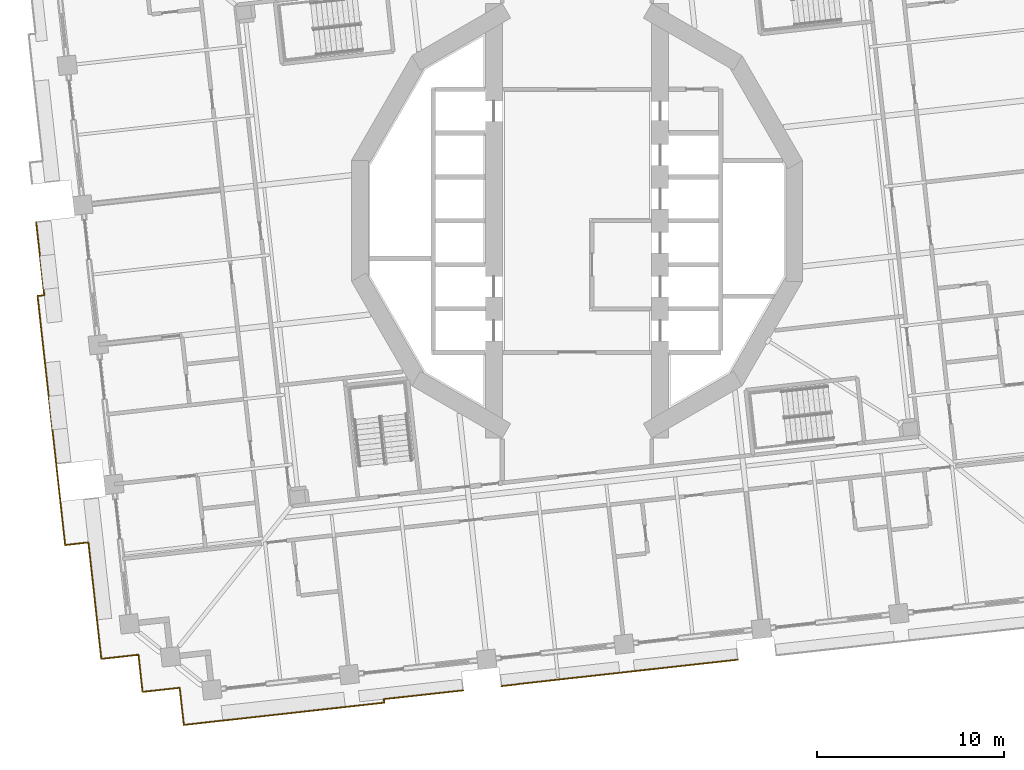
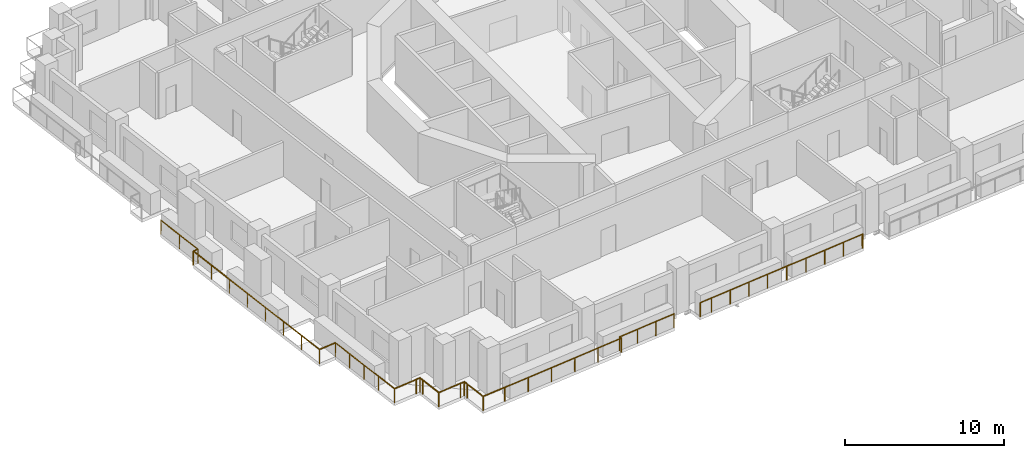
# One storey, part 15 of 20: 3 railings.
"""IFC4 building model written with IfcOpenShell, lengths in metres."""

from ifc_helpers import new_model, si_unit, direction, frame, origin, origin_2d, place, context, subcontext, project, spatial, circle, extrude, material, type_object, element, save


model = new_model("IFC4")

# Units and contexts
model_context = context("Model", 3, precision=1e-05, world=origin(), true_north=direction((0.0, 1.0)))
body_context = subcontext(model_context, "Body", "Model", "MODEL_VIEW")
ifc_project = project(units=[si_unit("LENGTHUNIT", "METRE"), si_unit("AREAUNIT", "SQUARE_METRE"), si_unit("VOLUMEUNIT", "CUBIC_METRE"), si_unit("PLANEANGLEUNIT", "RADIAN"), si_unit("MASSUNIT", "GRAM", prefix="KILO")], contexts=[model_context])

# Site, building, storey
site_placement = place(None, origin())
site = spatial("IfcSite", under=ifc_project, at=site_placement, CompositionType="ELEMENT")
building_placement = place(site_placement, origin())
building = spatial("IfcBuilding", under=site, at=building_placement, Name="Cantera Rosa Tower", CompositionType="ELEMENT")
storey_placement = place(building_placement, frame((0.0, 0.0, 50.10009765625)))
storey = spatial("IfcBuildingStorey", under=building, at=storey_placement, Name="L09", CompositionType="ELEMENT", Elevation=50.10009765625)

# Railings
ifc_material = material(Name="Stainless steel and laminated glass", Category="steel")
railing_type = type_object("IfcRailingType", Name="GUARD 1100", PredefinedType="BALUSTRADE", material=ifc_material)
railing_1_placement = place(storey_placement, frame((-25.46826171875, -23.45263671875, 0.0)))
element("IfcRailing", 1, at=railing_1_placement, inside=storey, type_object=railing_type, Name="GUARD L09-1", PredefinedType="BALUSTRADE", context=body_context, shape_type="SweptSolid", body=[
    extrude(circle(Radius=0.030029296875, at=origin_2d()), frame((0.0, 0.0, 1.070068359375), z_axis=(-0.110289669906, 0.993899486222, 0.0), x_axis=(-0.993899486222, -0.110289669906, 0.0)), (0.0, 0.0, 1.0), 1.699951171875),
    extrude(circle(Radius=0.030029296875, at=origin_2d()), frame((-0.1875, 1.689697265625, 1.070068359375), z_axis=(-0.110355311719, 0.993892199977, 0.0), x_axis=(-0.993892199977, -0.110355311719, 0.0)), (0.0, 0.0, 1.0), 4.570556640625),
    extrude(circle(Radius=0.030029296875, at=origin_2d()), frame((-0.69189453125, 6.232421875, 1.070068359375), z_axis=(-0.993886117565, -0.110410077944, 0.0), x_axis=(0.110410077944, -0.993886117565, 0.0)), (0.0, 0.0, 1.0), 1.249267578125),
    extrude(circle(Radius=0.030029296875, at=origin_2d()), frame((-1.93359375, 6.094482421875, 1.070068359375), z_axis=(-0.110309714757, 0.993897261708, 0.0), x_axis=(-0.993897261708, -0.110309714757, 0.0)), (0.0, 0.0, 1.0), 13.418701171875),
    extrude(circle(Radius=0.030029296875, at=origin_2d()), frame((-3.413818359375, 19.431396484375, 1.070068359375), z_axis=(0.993859025053, 0.110653686428, 0.0), x_axis=(-0.110653686428, 0.993859025053, 0.0)), (0.0, 0.0, 1.0), 0.36181640625),
    extrude(circle(Radius=0.030029296875, at=origin_2d()), frame((-3.05419921875, 19.471435546875, 1.070068359375), z_axis=(-0.11028192342, 0.993900345793, 0.0), x_axis=(-0.993900345793, -0.11028192342, 0.0)), (0.0, 0.0, 1.0), 3.9404296875),
    extrude(circle(Radius=0.02490234375, at=origin_2d()), origin(), (0.0, 0.0, 1.0), 1.0400390625),
    extrude(circle(Radius=0.02490234375, at=origin_2d()), frame((-0.1875, 1.689697265625, 0.0)), (0.0, 0.0, 1.0), 1.0400390625),
    extrude(circle(Radius=0.02490234375, at=origin_2d()), frame((-0.355712890625, 3.203857421875, 0.0)), (0.0, 0.0, 1.0), 1.0400390625),
    extrude(circle(Radius=0.02490234375, at=origin_2d()), frame((-0.523681640625, 4.71826171875, 0.0)), (0.0, 0.0, 1.0), 1.0400390625),
    extrude(circle(Radius=0.02490234375, at=origin_2d()), frame((-0.69189453125, 6.232421875, 0.0)), (0.0, 0.0, 1.0), 1.0400390625),
    extrude(circle(Radius=0.02490234375, at=origin_2d()), frame((-1.93359375, 6.094482421875, 0.0)), (0.0, 0.0, 1.0), 1.0400390625),
    extrude(circle(Radius=0.02490234375, at=origin_2d()), frame((-2.14501953125, 7.999755859375, 0.0)), (0.0, 0.0, 1.0), 1.0400390625),
    extrude(circle(Radius=0.02490234375, at=origin_2d()), frame((-2.3564453125, 9.905029296875, 0.0)), (0.0, 0.0, 1.0), 1.0400390625),
    extrude(circle(Radius=0.02490234375, at=origin_2d()), frame((-2.56787109375, 11.810302734375, 0.0)), (0.0, 0.0, 1.0), 1.0400390625),
    extrude(circle(Radius=0.02490234375, at=origin_2d()), frame((-2.779541015625, 13.715576171875, 0.0)), (0.0, 0.0, 1.0), 1.0400390625),
    extrude(circle(Radius=0.02490234375, at=origin_2d()), frame((-2.990966796875, 15.620849609375, 0.0)), (0.0, 0.0, 1.0), 1.0400390625),
    extrude(circle(Radius=0.02490234375, at=origin_2d()), frame((-3.202392578125, 17.526123046875, 0.0)), (0.0, 0.0, 1.0), 1.0400390625),
    extrude(circle(Radius=0.02490234375, at=origin_2d()), frame((-3.413818359375, 19.431396484375, 0.0)), (0.0, 0.0, 1.0), 1.0400390625),
    extrude(circle(Radius=0.02490234375, at=origin_2d()), frame((-3.05419921875, 19.471435546875, 0.0)), (0.0, 0.0, 1.0), 1.0400390625),
    extrude(circle(Radius=0.02490234375, at=origin_2d()), frame((-3.271484375, 21.4296875, 0.0)), (0.0, 0.0, 1.0), 1.0400390625),
    extrude(circle(Radius=0.02490234375, at=origin_2d()), frame((-3.48876953125, 23.387939453125, 0.0)), (0.0, 0.0, 1.0), 1.0400390625),
])
railing_2_placement = place(storey_placement, frame((-6.094482421875, -25.135498046875, 0.0)))
element("IfcRailing", 2, at=railing_2_placement, inside=storey, type_object=railing_type, Name="GUARD L09-2", PredefinedType="BALUSTRADE", context=body_context, shape_type="SweptSolid", body=[
    extrude(circle(Radius=0.030029296875, at=origin_2d()), frame((0.0, 0.0, 1.070068359375), z_axis=(-0.993892795835, -0.110349945117, 0.0), x_axis=(0.110349945117, -0.993892795835, 0.0)), (0.0, 0.0, 1.0), 4.27001953125),
    extrude(circle(Radius=0.030029296875, at=origin_2d()), frame((-4.243896484375, -0.47119140625, 1.070068359375), z_axis=(0.110431526075, -0.993883734674, 0.0), x_axis=(0.993883734674, 0.110431526075, 0.0)), (0.0, 0.0, 1.0), 0.190185546875),
    extrude(circle(Radius=0.030029296875, at=origin_2d()), frame((-4.222900390625, -0.66015625, 1.070068359375), z_axis=(-0.993899102511, -0.110293127745, 0.0), x_axis=(0.110293127745, -0.993899102511, 0.0)), (0.0, 0.0, 1.0), 9.099853515625),
    extrude(circle(Radius=0.030029296875, at=origin_2d()), frame((-13.267333984375, -1.663818359375, 1.070068359375), z_axis=(-0.993883734674, -0.110431526075, 0.0), x_axis=(0.110431526075, -0.993883734674, 0.0)), (0.0, 0.0, 1.0), 1.7001953125),
    extrude(circle(Radius=0.030029296875, at=origin_2d()), frame((-14.95703125, -1.8515625, 1.070068359375), z_axis=(-0.110289669906, 0.993899486222, 0.0), x_axis=(-0.993899486222, -0.110289669906, 0.0)), (0.0, 0.0, 1.0), 1.699951171875),
    extrude(circle(Radius=0.030029296875, at=origin_2d()), frame((-15.14453125, -0.161865234375, 1.070068359375), z_axis=(-0.110699535641, 0.99385391925, 0.0), x_axis=(-0.99385391925, -0.110699535641, 0.0)), (0.0, 0.0, 1.0), 0.300048828125),
    extrude(circle(Radius=0.030029296875, at=origin_2d()), frame((-15.177734375, 0.13623046875, 1.070068359375), z_axis=(-0.993943154022, -0.10989543472, 0.0), x_axis=(0.10989543472, -0.993943154022, 0.0)), (0.0, 0.0, 1.0), 0.2998046875),
    extrude(circle(Radius=0.030029296875, at=origin_2d()), frame((-15.475830078125, 0.103271484375, 1.070068359375), z_axis=(-0.993899486222, -0.110289669906, 0.0), x_axis=(0.110289669906, -0.993899486222, 0.0)), (0.0, 0.0, 1.0), 1.699951171875),
    extrude(circle(Radius=0.030029296875, at=origin_2d()), frame((-17.16552734375, -0.084228515625, 1.070068359375), z_axis=(-0.110305413813, 0.993897739047, 0.0), x_axis=(-0.993897739047, -0.110305413813, 0.0)), (0.0, 0.0, 1.0), 1.69970703125),
    extrude(circle(Radius=0.030029296875, at=origin_2d()), frame((-17.35302734375, 1.605224609375, 1.070068359375), z_axis=(-0.1098065887, 0.993952973273, 0.0), x_axis=(-0.993952973273, -0.1098065887, 0.0)), (0.0, 0.0, 1.0), 0.300048828125),
    extrude(circle(Radius=0.030029296875, at=origin_2d()), frame((-17.385986328125, 1.903564453125, 1.070068359375), z_axis=(-0.993863881828, -0.110610055588, 0.0), x_axis=(0.110610055588, -0.993863881828, 0.0)), (0.0, 0.0, 1.0), 0.30029296875),
    extrude(circle(Radius=0.030029296875, at=origin_2d()), frame((-17.684326171875, 1.870361328125, 1.070068359375), z_axis=(-0.993897739047, -0.110305413813, 0.0), x_axis=(0.110305413813, -0.993897739047, 0.0)), (0.0, 0.0, 1.0), 1.69970703125),
    extrude(circle(Radius=0.02490234375, at=origin_2d()), origin(), (0.0, 0.0, 1.0), 1.0400390625),
    extrude(circle(Radius=0.02490234375, at=origin_2d()), frame((-1.41455078125, -0.156982421875, 0.0)), (0.0, 0.0, 1.0), 1.0400390625),
    extrude(circle(Radius=0.02490234375, at=origin_2d()), frame((-2.829345703125, -0.314208984375, 0.0)), (0.0, 0.0, 1.0), 1.0400390625),
    extrude(circle(Radius=0.02490234375, at=origin_2d()), frame((-4.243896484375, -0.47119140625, 0.0)), (0.0, 0.0, 1.0), 1.0400390625),
    extrude(circle(Radius=0.02490234375, at=origin_2d()), frame((-4.222900390625, -0.66015625, 0.0)), (0.0, 0.0, 1.0), 1.0400390625),
    extrude(circle(Radius=0.02490234375, at=origin_2d()), frame((-6.03173828125, -0.86083984375, 0.0)), (0.0, 0.0, 1.0), 1.0400390625),
    extrude(circle(Radius=0.02490234375, at=origin_2d()), frame((-7.840576171875, -1.0615234375, 0.0)), (0.0, 0.0, 1.0), 1.0400390625),
    extrude(circle(Radius=0.02490234375, at=origin_2d()), frame((-9.649658203125, -1.262451171875, 0.0)), (0.0, 0.0, 1.0), 1.0400390625),
    extrude(circle(Radius=0.02490234375, at=origin_2d()), frame((-11.45849609375, -1.463134765625, 0.0)), (0.0, 0.0, 1.0), 1.0400390625),
    extrude(circle(Radius=0.02490234375, at=origin_2d()), frame((-13.267333984375, -1.663818359375, 0.0)), (0.0, 0.0, 1.0), 1.0400390625),
    extrude(circle(Radius=0.02490234375, at=origin_2d()), frame((-14.95703125, -1.8515625, 0.0)), (0.0, 0.0, 1.0), 1.0400390625),
    extrude(circle(Radius=0.02490234375, at=origin_2d()), frame((-15.14453125, -0.161865234375, 0.0)), (0.0, 0.0, 1.0), 1.0400390625),
    extrude(circle(Radius=0.02490234375, at=origin_2d()), frame((-15.177734375, 0.13623046875, 0.0)), (0.0, 0.0, 1.0), 1.0400390625),
    extrude(circle(Radius=0.02490234375, at=origin_2d()), frame((-15.475830078125, 0.103271484375, 0.0)), (0.0, 0.0, 1.0), 1.0400390625),
    extrude(circle(Radius=0.02490234375, at=origin_2d()), frame((-17.16552734375, -0.084228515625, 0.0)), (0.0, 0.0, 1.0), 1.0400390625),
    extrude(circle(Radius=0.02490234375, at=origin_2d()), frame((-17.35302734375, 1.605224609375, 0.0)), (0.0, 0.0, 1.0), 1.0400390625),
    extrude(circle(Radius=0.02490234375, at=origin_2d()), frame((-17.385986328125, 1.903564453125, 0.0)), (0.0, 0.0, 1.0), 1.0400390625),
    extrude(circle(Radius=0.02490234375, at=origin_2d()), frame((-17.684326171875, 1.870361328125, 0.0)), (0.0, 0.0, 1.0), 1.0400390625),
    extrude(circle(Radius=0.02490234375, at=origin_2d()), frame((-19.373779296875, 1.682861328125, 0.0)), (0.0, 0.0, 1.0), 1.0400390625),
])
railing_3_placement = place(storey_placement, frame((8.6142578125, -23.4931640625, 0.0)))
element("IfcRailing", 3, at=railing_3_placement, inside=storey, type_object=railing_type, Name="GUARD L09-6", PredefinedType="BALUSTRADE", context=body_context, shape_type="SweptSolid", body=[
    extrude(circle(Radius=0.030029296875, at=origin_2d()), frame((0.0, 0.0, 1.070068359375), z_axis=(-0.994136314057, -0.108134125389, 0.0), x_axis=(0.108134125389, -0.994136314057, 0.0)), (0.0, 0.0, 1.0), 0.070068359375),
    extrude(circle(Radius=0.030029296875, at=origin_2d()), frame((-0.069580078125, -0.007568359375, 1.070068359375), z_axis=(-0.993891851654, -0.110358448777, 0.0), x_axis=(0.110358448777, -0.993891851654, 0.0)), (0.0, 0.0, 1.0), 4.400146484375),
    extrude(circle(Radius=0.030029296875, at=origin_2d()), frame((-4.44287109375, -0.4931640625, 1.070068359375), z_axis=(-0.993901585709, -0.110270748271, 0.0), x_axis=(0.110270748271, -0.993901585709, 0.0)), (0.0, 0.0, 1.0), 3.0),
    extrude(circle(Radius=0.030029296875, at=origin_2d()), frame((-7.424560546875, -0.823974609375, 1.070068359375), z_axis=(-0.993894580964, -0.110333865747, 0.0), x_axis=(0.110333865747, -0.993894580964, 0.0)), (0.0, 0.0, 1.0), 4.39013671875),
    extrude(circle(Radius=0.030029296875, at=origin_2d()), frame((-11.787841796875, -1.308349609375, 1.070068359375), z_axis=(0.099503719021, -0.99503719021, 0.0), x_axis=(0.99503719021, 0.099503719021, 0.0)), (0.0, 0.0, 1.0), 0.009765625),
    extrude(circle(Radius=0.030029296875, at=origin_2d()), frame((-11.786865234375, -1.318115234375, 1.070068359375), z_axis=(-0.993914151413, -0.110157431075, 0.0), x_axis=(0.110157431075, -0.993914151413, 0.0)), (0.0, 0.0, 1.0), 0.8798828125),
    extrude(circle(Radius=0.02490234375, at=origin_2d()), origin(), (0.0, 0.0, 1.0), 1.0400390625),
    extrude(circle(Radius=0.02490234375, at=origin_2d()), frame((-0.069580078125, -0.007568359375, 0.0)), (0.0, 0.0, 1.0), 1.0400390625),
    extrude(circle(Radius=0.02490234375, at=origin_2d()), frame((-1.52734375, -0.16943359375, 0.0)), (0.0, 0.0, 1.0), 1.0400390625),
    extrude(circle(Radius=0.02490234375, at=origin_2d()), frame((-2.985107421875, -0.331298828125, 0.0)), (0.0, 0.0, 1.0), 1.0400390625),
    extrude(circle(Radius=0.02490234375, at=origin_2d()), frame((-4.44287109375, -0.4931640625, 0.0)), (0.0, 0.0, 1.0), 1.0400390625),
    extrude(circle(Radius=0.02490234375, at=origin_2d()), frame((-5.93359375, -0.65869140625, 0.0)), (0.0, 0.0, 1.0), 1.0400390625),
    extrude(circle(Radius=0.02490234375, at=origin_2d()), frame((-7.424560546875, -0.823974609375, 0.0)), (0.0, 0.0, 1.0), 1.0400390625),
    extrude(circle(Radius=0.02490234375, at=origin_2d()), frame((-8.87890625, -0.9853515625, 0.0)), (0.0, 0.0, 1.0), 1.0400390625),
    extrude(circle(Radius=0.02490234375, at=origin_2d()), frame((-10.33349609375, -1.14697265625, 0.0)), (0.0, 0.0, 1.0), 1.0400390625),
    extrude(circle(Radius=0.02490234375, at=origin_2d()), frame((-11.787841796875, -1.308349609375, 0.0)), (0.0, 0.0, 1.0), 1.0400390625),
    extrude(circle(Radius=0.02490234375, at=origin_2d()), frame((-11.786865234375, -1.318115234375, 0.0)), (0.0, 0.0, 1.0), 1.0400390625),
    extrude(circle(Radius=0.02490234375, at=origin_2d()), frame((-12.661376953125, -1.4150390625, 0.0)), (0.0, 0.0, 1.0), 1.0400390625),
])

save(model, "model.ifc")
